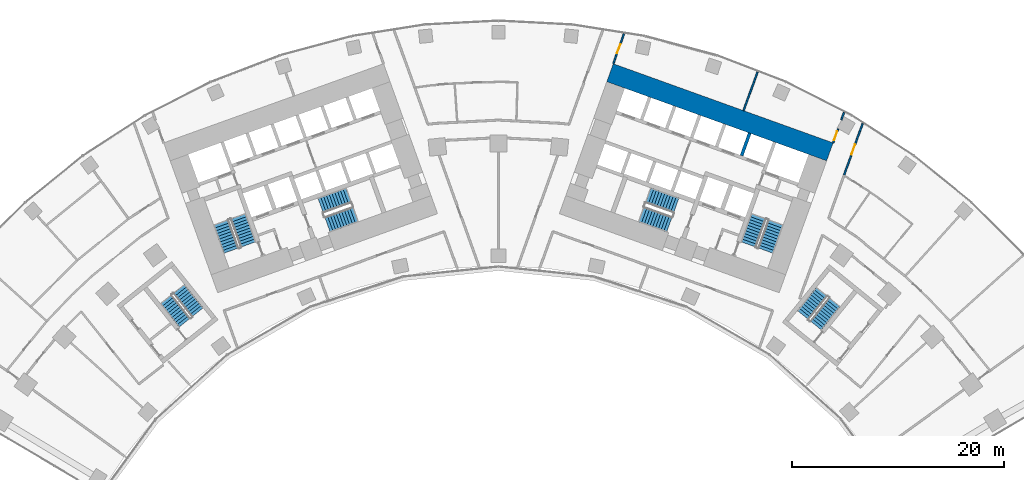
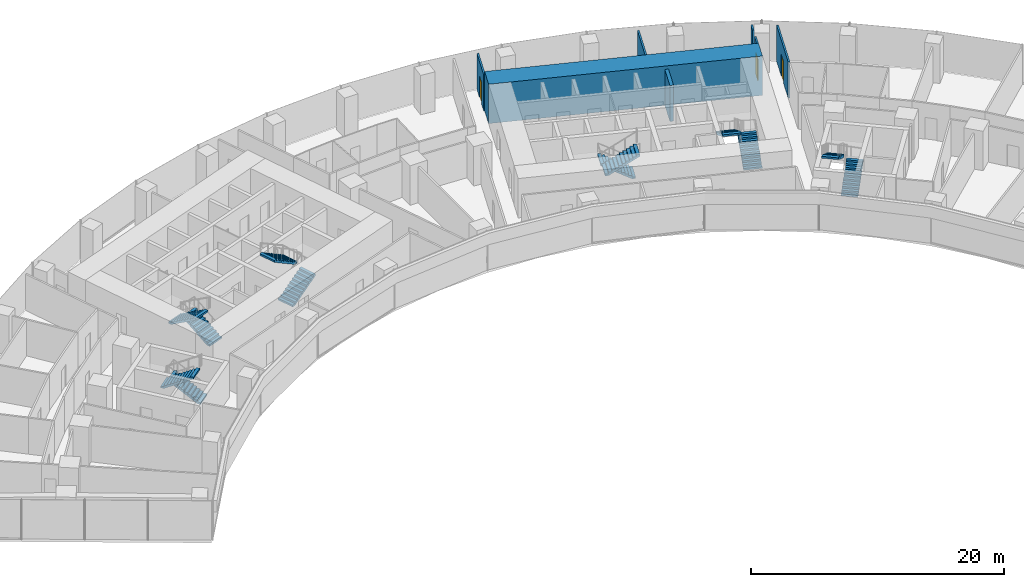
# One storey, part 19 of 21: 12 stair flights, 7 walls, 3 doors, 3 openings, 6 elements without a shape of their own.
"""IFC4 building model written with IfcOpenShell, lengths in metres."""

import ifcopenshell
import ifcopenshell.guid

model = None  # the IFC model being written
_history = None  # IfcOwnerHistory: only IFC2X3 demands one
_inside = {}  # id of a spatial element -> (the spatial element, [elements in it])
_under = {}  # id of a project, library or spatial element -> (it, [spatial elements below it])
_declared = {}  # id of a project -> (the project, [libraries it declares])
_typed = {}  # id of a type object -> (the type object, [elements of that type])
_made_of = {}  # id of a material, layer set ... -> (it, [elements and type objects made of it])


def new_model(schema):
    """Start an empty IFC model of exactly this schema.

    Asked for "IFC4X3", IfcOpenShell would pick the latest addendum, in which some entities
    have other attributes; the version numbers below select the first issue.
    IFC2X3 requires an IfcOwnerHistory on every rooted entity: one is made here for all.
    """
    global model, _history
    if schema == "IFC4X3":
        model = ifcopenshell.file(schema_version=(4, 3, 0, 0))
    else:
        model = ifcopenshell.file(schema=schema)
    _inside.clear()
    _under.clear()
    _declared.clear()
    _typed.clear()
    _made_of.clear()
    _history = None
    if model.schema == "IFC2X3":
        org = make("IfcOrganization", Name="unknown")
        user = make(
            "IfcPersonAndOrganization",
            ThePerson=make("IfcPerson", FamilyName="unknown"),
            TheOrganization=org,
        )
        app = make(
            "IfcApplication",
            ApplicationDeveloper=org,
            Version="unknown",
            ApplicationFullName="unknown",
            ApplicationIdentifier="unknown",
        )
        _history = make(
            "IfcOwnerHistory",
            OwningUser=user,
            OwningApplication=app,
            ChangeAction="ADDED",
            CreationDate=0,
        )
    return model


def make(cls, **values):
    """One entity of the class cls with the attributes given. An attribute that is None is left unset."""
    return model.create_entity(
        cls, **{name: value for name, value in values.items() if value is not None}
    )


def rooted(cls, **values):
    """An entity with a GlobalId (a new one), such as an element, a storey or a relation."""
    return make(cls, GlobalId=ifcopenshell.guid.new(), OwnerHistory=_history, **values)


def si_unit(unit_type, name, prefix=None):
    """IfcSIUnit, for example si_unit("LENGTHUNIT", "METRE", prefix="MILLI")."""
    return make("IfcSIUnit", UnitType=unit_type, Prefix=prefix, Name=name)


def assignment(units):
    """IfcUnitAssignment: the units of a project."""
    return None if units is None else make("IfcUnitAssignment", Units=units)


def point(xyz):
    """IfcCartesianPoint."""
    return None if xyz is None else make("IfcCartesianPoint", Coordinates=xyz)


def direction(xyz):
    """IfcDirection."""
    return None if xyz is None else make("IfcDirection", DirectionRatios=xyz)


def frame(location, z_axis=None, x_axis=None):
    """IfcAxis2Placement3D, a coordinate frame: its origin and axes. An axis left out is left unset."""
    return make(
        "IfcAxis2Placement3D",
        Location=point(location),
        Axis=direction(z_axis),
        RefDirection=direction(x_axis),
    )


def frame_2d(location, x_axis=None):
    """IfcAxis2Placement2D, a coordinate frame in the plane: its origin and x axis."""
    return make(
        "IfcAxis2Placement2D", Location=point(location), RefDirection=direction(x_axis)
    )


def origin():
    """The frame at (0, 0, 0) with its axes left unset."""
    return frame((0.0, 0.0, 0.0))


def place(relative_to, where):
    """IfcLocalPlacement: puts the frame where relative to a parent placement (None: the world)."""
    return make(
        "IfcLocalPlacement", PlacementRelTo=relative_to, RelativePlacement=where
    )


def context(
    kind, dimensions, precision=None, world=None, true_north=None, identifier=None
):
    """IfcGeometricRepresentationContext, for example the 3D "Model" context."""
    return make(
        "IfcGeometricRepresentationContext",
        ContextIdentifier=identifier,
        ContextType=kind,
        CoordinateSpaceDimension=dimensions,
        Precision=precision,
        WorldCoordinateSystem=world,
        TrueNorth=true_north,
    )


def subcontext(parent, identifier, kind, view, scale=None):
    """IfcGeometricRepresentationSubContext, for example "Body" below "Model"."""
    return make(
        "IfcGeometricRepresentationSubContext",
        ContextIdentifier=identifier,
        ContextType=kind,
        ParentContext=parent,
        TargetScale=scale,
        TargetView=view,
    )


def project(units=None, contexts=None):
    """IfcProject with its units and contexts."""
    return rooted(
        "IfcProject",
        Name="project",
        RepresentationContexts=contexts,
        UnitsInContext=assignment(units),
    )


def spatial(cls, under=None, at=None, **own):
    """A site, building, storey or space (cls), placed at a placement, below another one or the project."""
    s = rooted(cls, ObjectPlacement=at, **own)
    if under is not None:
        _under.setdefault(under.id(), (under, []))[1].append(s)
    return s


def polyline(points):
    """IfcPolyline through the points."""
    return make("IfcPolyline", Points=[point(p) for p in points])


def profile(cls, at=None, kind="AREA", **sizes):
    """A parametric profile (cls). Its sizes go by their IFC names, for example OverallWidth=200.0."""
    return make(cls, ProfileType=kind, Position=at, **sizes)


def rectangle(**sizes):
    """IfcRectangleProfileDef."""
    return profile("IfcRectangleProfileDef", **sizes)


def outline(outer, holes=None, kind="AREA"):
    """IfcArbitraryClosedProfileDef: a profile drawn as a closed curve; with holes, ...WithVoids."""
    if holes is None:
        return make("IfcArbitraryClosedProfileDef", ProfileType=kind, OuterCurve=outer)
    return make(
        "IfcArbitraryProfileDefWithVoids",
        ProfileType=kind,
        OuterCurve=outer,
        InnerCurves=holes,
    )


def extrude(swept, where, along, depth):
    """IfcExtrudedAreaSolid: the profile swept, set in the frame where, extruded along a direction by depth."""
    return make(
        "IfcExtrudedAreaSolid",
        SweptArea=swept,
        Position=where,
        ExtrudedDirection=direction(along),
        Depth=depth,
    )


def shape(context_of_items, identifier, shape_type, items):
    """IfcShapeRepresentation: the items that make up one representation, for example the "Body"."""
    return make(
        "IfcShapeRepresentation",
        ContextOfItems=context_of_items,
        RepresentationIdentifier=identifier,
        RepresentationType=shape_type,
        Items=items,
    )


def material(Name=None, Category=None):
    """IfcMaterial."""
    return make("IfcMaterial", Name=Name, Category=Category)


def layer(
    of_material, thickness, ventilated=None, Name=None, Category=None, Priority=None
):
    """IfcMaterialLayer: one layer of a wall or slab, of a material (None: an air gap)."""
    return make(
        "IfcMaterialLayer",
        Material=of_material,
        LayerThickness=thickness,
        IsVentilated=ventilated,
        Name=Name,
        Category=Category,
        Priority=Priority,
    )


def layer_set(layers, Name=None):
    """IfcMaterialLayerSet."""
    return make("IfcMaterialLayerSet", MaterialLayers=layers, LayerSetName=Name)


def made_of(thing, what):
    """Note that an element or type object is made of a material, layer set ...; save() writes the relation."""
    if what is not None:
        _made_of.setdefault(what.id(), (what, []))[1].append(thing)
    return thing


def type_object(cls, material=None, **own):
    """A type object (cls), such as IfcWallType, which elements share."""
    return made_of(rooted(cls, **own), material)


def element(
    cls,
    number,
    at=None,
    inside=None,
    cuts=None,
    type_object=None,
    material=None,
    context=None,
    identifier="Body",
    shape_type=None,
    held_by="IfcProductDefinitionShape",
    body=None,
    shapes=None,
    **own,
):
    """One element of the class cls, such as IfcWall. Its Tag is "e" and its number.

    at: its placement. inside: the storey or other place that contains it. cuts: it is an
    opening in that element (IfcRelVoidsElement). A single representation is given by context,
    identifier, shape_type and body (its items); several are given by shapes. held_by: the class
    of the entity that holds the representations. save() writes the other relations.
    """
    e = rooted(cls, Tag="e%d" % number, ObjectPlacement=at, **own)
    if body is not None:
        shapes = [shape(context, identifier, shape_type, body)]
    if shapes is not None:
        e.Representation = make(held_by, Representations=shapes)
    if inside is not None:
        _inside.setdefault(inside.id(), (inside, []))[1].append(e)
    if cuts is not None:
        rooted(
            "IfcRelVoidsElement", RelatingBuildingElement=cuts, RelatedOpeningElement=e
        )
    if type_object is not None:
        _typed.setdefault(type_object.id(), (type_object, []))[1].append(e)
    return made_of(e, material)


def fill(opening, filler):
    """IfcRelFillsElement: the door or window that sits in an opening."""
    return rooted(
        "IfcRelFillsElement",
        RelatingOpeningElement=opening,
        RelatedBuildingElement=filler,
    )


def aggregate(whole, parts):
    """IfcRelAggregates: a whole, such as a stair, and the parts it consists of."""
    return rooted("IfcRelAggregates", RelatingObject=whole, RelatedObjects=parts)


def save(model, path):
    """Write the relations noted so far, then the file.

    IfcRelAggregates (storeys below a building ...), IfcRelContainedInSpatialStructure (elements
    in a storey), IfcRelDefinesByType, IfcRelAssociatesMaterial and IfcRelDeclares: one each for
    every whole, place, type object, material and project.
    """
    for whole, parts in _under.values():
        aggregate(whole, parts)
    for where, things in _inside.values():
        rooted(
            "IfcRelContainedInSpatialStructure",
            RelatedElements=things,
            RelatingStructure=where,
        )
    for kind, things in _typed.values():
        rooted("IfcRelDefinesByType", RelatedObjects=things, RelatingType=kind)
    for what, things in _made_of.values():
        rooted("IfcRelAssociatesMaterial", RelatedObjects=things, RelatingMaterial=what)
    for by, libraries in _declared.values():
        rooted("IfcRelDeclares", RelatingContext=by, RelatedDefinitions=libraries)
    model.write(path)


model = new_model("IFC4")

# Units and contexts
model_context = context("Model", 3, precision=1e-05, world=origin(), true_north=direction((0.0, 1.0)))
body_context = subcontext(model_context, "Body", "Model", "MODEL_VIEW")
ifc_project = project(units=[si_unit("LENGTHUNIT", "METRE"), si_unit("AREAUNIT", "SQUARE_METRE"), si_unit("VOLUMEUNIT", "CUBIC_METRE"), si_unit("PLANEANGLEUNIT", "RADIAN"), si_unit("MASSUNIT", "GRAM", prefix="KILO")], contexts=[model_context])

# Site, building, storey
site_placement = place(None, origin())
site = spatial("IfcSite", under=ifc_project, at=site_placement, CompositionType="ELEMENT")
building_placement = place(site_placement, origin())
building = spatial("IfcBuilding", under=site, at=building_placement, Name="Stone Belt Terrace Tower", CompositionType="ELEMENT")
storey_placement = place(building_placement, frame((0.0, 0.0, 33.800048828125)))
storey = spatial("IfcBuildingStorey", under=building, at=storey_placement, Name="L07", CompositionType="ELEMENT", Elevation=33.800048828125)

# Walls
ifc_material_1 = material(Name="Concrete B80", Category="concrete")
ifc_layer_1 = layer(ifc_material_1, 1.800048828125)
ifc_layer_set_1 = layer_set([ifc_layer_1], Name="Core wall 1800 B80")
wall_type_1 = type_object("IfcWallType", Name="Core wall 1800 B80", PredefinedType="SHEAR", material=ifc_layer_set_1)
wall_1_placement = place(storey_placement, frame((10.509033203125, 61.685546875, 0.0), z_axis=(0.0, 0.0, 1.0), x_axis=(0.940922914687, -0.338620833112, 0.0)))
element("IfcWall", 1, at=wall_1_placement, inside=storey, type_object=wall_type_1, Name="Core B wall convex L07", PredefinedType="SHEAR", context=body_context, shape_type="SweptSolid", body=[
    extrude(rectangle(XDim=22.000244140625, YDim=1.800048828125, at=frame_2d((11.0, 0.0))), origin(), (0.0, 0.0, 1.0), 3.800048828125),
])
ifc_layer_2 = layer(ifc_material_1, 0.300048828125)
ifc_layer_set_2 = layer_set([ifc_layer_2], Name="Lift shaft wall 300")
wall_type_2 = type_object("IfcWallType", Name="Lift shaft wall 300", PredefinedType="SHEAR", material=ifc_layer_set_2)
wall_2_placement = place(storey_placement, frame((22.897705078125, 53.87939453125, 0.0), z_axis=(0.0, 0.0, 1.0), x_axis=(0.338535034312, 0.940953787677, 0.0)))
element("IfcWall", 2, at=wall_2_placement, inside=storey, type_object=wall_type_2, Name="Core B wall", PredefinedType="SHEAR", context=body_context, shape_type="SweptSolid", body=[
    extrude(rectangle(XDim=2.25, YDim=0.300048828125, at=frame_2d((1.125, 0.0))), origin(), (0.0, 0.0, 1.0), 3.47998046875),
])

# Wall, opening, door
ifc_material_2 = material(Name="Gypsum board partition")
ifc_layer_3 = layer(ifc_material_2, 0.14990234375)
ifc_layer_set_3 = layer_set([ifc_layer_3], Name="PARTITION 150 EI 60")
wall_type_3 = type_object("IfcWallType", Name="PARTITION 150 EI 60", PredefinedType="PARTITIONING", material=ifc_layer_set_3)
wall_3_placement = place(storey_placement, frame((11.831787109375, 65.361083984375, 0.0), z_axis=(0.0, 0.0, 1.0), x_axis=(-0.338526810165, -0.940956746508, 0.0)))
wall_3 = element("IfcWall", 3, at=wall_3_placement, inside=storey, type_object=wall_type_3, Name="L07/wall/i017", PredefinedType="PARTITIONING", context=body_context, shape_type="SweptSolid", body=[
    extrude(rectangle(XDim=3.006591796875, YDim=0.14990234375, at=frame_2d((1.50341796875, 0.0))), origin(), (0.0, 0.0, 1.0), 3.47998046875),
])
opening_1_placement = place(wall_3_placement, frame((1.05322265625, 0.0, 0.0)))
opening_1 = element("IfcOpeningElement", 4, at=opening_1_placement, cuts=wall_3, Name="Opening D-A1b-07", PredefinedType="OPENING", context=body_context, shape_type="SweptSolid", body=[
    extrude(rectangle(XDim=0.89990234375, YDim=2.10009765625, at=frame_2d((0.449951171875, 1.050048828125))), frame((0.0, 0.0849609375, 0.0), z_axis=(0.0, -1.0, 0.0), x_axis=(1.0, 0.0, 0.0)), (0.0, 0.0, 1.0), 0.169921875),
])
ifc_material_3 = material(Name="Timber door leaf", Category="wood")
door_type_1 = type_object("IfcDoorType", Name="OFFICE DOOR 900 X 2100", OperationType="NOTDEFINED", PredefinedType="DOOR", material=ifc_material_3)
door_1_placement = place(opening_1_placement, origin())
door_1 = element("IfcDoor", 5, at=door_1_placement, inside=storey, type_object=door_type_1, Name="L07/door/i07", OperationType="SINGLE_SWING_RIGHT", OverallHeight=2.10009765625, OverallWidth=0.89990234375, PredefinedType="DOOR", context=body_context, shape_type="SweptSolid", body=[
    extrude(rectangle(XDim=0.89990234375, YDim=2.10009765625, at=frame_2d((0.449951171875, 1.050048828125))), frame((0.0, 0.02490234375, 0.0), z_axis=(0.0, -1.0, 0.0), x_axis=(1.0, 0.0, 0.0)), (0.0, 0.0, 1.0), 0.050048828125),
])
fill(opening_1, door_1)

wall_4_placement = place(storey_placement, frame((31.513916015625, 55.0830078125, 0.0), z_axis=(0.0, 0.0, 1.0), x_axis=(0.338861945182, 0.940836107995, 0.0)))
wall_4 = element("IfcWall", 6, at=wall_4_placement, inside=storey, type_object=wall_type_3, Name="L07/wall/i021", PredefinedType="PARTITIONING", context=body_context, shape_type="SweptSolid", body=[
    extrude(rectangle(XDim=1.3955078125, YDim=0.14990234375, at=frame_2d((0.69775390625, 0.0))), origin(), (0.0, 0.0, 1.0), 3.47998046875),
])
opening_2_placement = place(wall_4_placement, frame((0.247802734375, 0.0, 0.0)))
opening_2 = element("IfcOpeningElement", 7, at=opening_2_placement, cuts=wall_4, Name="Opening D-A1b-08", PredefinedType="OPENING", context=body_context, shape_type="SweptSolid", body=[
    extrude(rectangle(XDim=0.89990234375, YDim=2.10009765625, at=frame_2d((0.449951171875, 1.050048828125))), frame((0.0, 0.0849609375, 0.0), z_axis=(0.0, -1.0, 0.0), x_axis=(1.0, 0.0, 0.0)), (0.0, 0.0, 1.0), 0.169921875),
])
door_2_placement = place(opening_2_placement, origin())
door_2 = element("IfcDoor", 8, at=door_2_placement, inside=storey, type_object=door_type_1, Name="L07/door/i08", OperationType="SINGLE_SWING_RIGHT", OverallHeight=2.10009765625, OverallWidth=0.89990234375, PredefinedType="DOOR", context=body_context, shape_type="SweptSolid", body=[
    extrude(rectangle(XDim=0.89990234375, YDim=2.10009765625, at=frame_2d((0.449951171875, 1.050048828125))), frame((0.0, 0.02490234375, 0.0), z_axis=(0.0, -1.0, 0.0), x_axis=(1.0, 0.0, 0.0)), (0.0, 0.0, 1.0), 0.050048828125),
])
fill(opening_2, door_2)

# Wall
wall_5_placement = place(storey_placement, frame((32.290283203125, 57.238525390625, 0.0), z_axis=(0.0, 0.0, 1.0), x_axis=(0.338960201827, 0.940800712998, 0.0)))
element("IfcWall", 9, at=wall_5_placement, inside=storey, type_object=wall_type_3, Name="L07/wall/i022", PredefinedType="PARTITIONING", context=body_context, shape_type="SweptSolid", body=[
    extrude(rectangle(XDim=0.754150390625, YDim=0.14990234375, at=frame_2d((0.376953125, 0.0))), origin(), (0.0, 0.0, 1.0), 3.47998046875),
])

# Wall, opening, door
wall_6_placement = place(storey_placement, frame((34.298095703125, 56.91015625, 0.0), z_axis=(0.0, 0.0, 1.0), x_axis=(-0.338724445236, -0.940885620147, 0.0)))
wall_6 = element("IfcWall", 10, at=wall_6_placement, inside=storey, type_object=wall_type_3, Name="L07/wall/i025", PredefinedType="PARTITIONING", context=body_context, shape_type="SweptSolid", body=[
    extrude(rectangle(XDim=5.211181640625, YDim=0.14990234375, at=frame_2d((2.60546875, 0.0))), origin(), (0.0, 0.0, 1.0), 3.47998046875),
])
opening_3_placement = place(wall_6_placement, frame((2.10546875, 0.0, 0.0)))
opening_3 = element("IfcOpeningElement", 11, at=opening_3_placement, cuts=wall_6, Name="Opening D-A1b-21", PredefinedType="OPENING", context=body_context, shape_type="SweptSolid", body=[
    extrude(rectangle(XDim=1.0, YDim=2.10009765625, at=frame_2d((0.5, 1.050048828125))), frame((0.0, 0.0849609375, 0.0), z_axis=(0.0, -1.0, 0.0), x_axis=(1.0, 0.0, 0.0)), (0.0, 0.0, 1.0), 0.169921875),
])
ifc_material_4 = material(Name="Timber fire door leaf", Category="wood")
door_type_2 = type_object("IfcDoorType", Name="TENANCY ENTRANCE DOOR 1000 X 2100", OperationType="NOTDEFINED", PredefinedType="DOOR", material=ifc_material_4)
door_3_placement = place(opening_3_placement, origin())
door_3 = element("IfcDoor", 12, at=door_3_placement, inside=storey, type_object=door_type_2, Name="L07/door/i21", OperationType="SINGLE_SWING_RIGHT", OverallHeight=2.10009765625, OverallWidth=1.0, PredefinedType="DOOR", context=body_context, shape_type="SweptSolid", body=[
    extrude(rectangle(XDim=1.0, YDim=2.10009765625, at=frame_2d((0.5, 1.050048828125))), frame((0.0, 0.02490234375, 0.0), z_axis=(0.0, -1.0, 0.0), x_axis=(1.0, 0.0, 0.0)), (0.0, 0.0, 1.0), 0.050048828125),
])
fill(opening_3, door_3)

# Wall
wall_7_placement = place(storey_placement, frame((24.39990234375, 61.76708984375, 0.0), z_axis=(0.0, 0.0, 1.0), x_axis=(-0.338619209116, -0.940923499131, 0.0)))
element("IfcWall", 13, at=wall_7_placement, inside=storey, type_object=wall_type_3, Name="L07/wall/i030", PredefinedType="PARTITIONING", context=body_context, shape_type="SweptSolid", body=[
    extrude(rectangle(XDim=3.88037109375, YDim=0.14990234375, at=frame_2d((1.940185546875, 0.0))), origin(), (0.0, 0.0, 1.0), 3.47998046875),
])

# Stair, stair flights
ifc_material_5 = material(Name="Concrete B40", Category="concrete")
stair_type = type_object("IfcStairType", Name="Exit stair 1500", PredefinedType="HALF_TURN_STAIR", material=ifc_material_5)
stair_1_placement = place(storey_placement, origin())
stair_1 = element("IfcStair", 14, at=stair_1_placement, inside=storey, type_object=stair_type, Name="L07 Exit stair 1 core A", PredefinedType="HALF_TURN_STAIR")
stair_flight_type = type_object("IfcStairFlightType", Name="Stair flight 1500", PredefinedType="STRAIGHT", material=ifc_material_5)
stair_flight_1_placement = place(storey_placement, frame((-23.55322265625, 45.51318359375, 0.0), z_axis=(0.0, 0.0, 1.0), x_axis=(-0.338624396177, 0.940921632398, 0.0)))
stair_flight_1 = element("IfcStairFlight", 15, at=stair_flight_1_placement, type_object=stair_flight_type, Name="ST1A flight 1", NumberOfRisers=11, NumberOfTreads=10, PredefinedType="STRAIGHT", RiserHeight=0.172727273, TreadLength=0.28, context=body_context, shape_type="SweptSolid", body=[
    extrude(outline(polyline([(0.0, 0.0), (0.0, 0.172607421875), (0.280029296875, 0.172607421875), (0.280029296875, 0.345458984375), (0.56005859375, 0.345458984375), (0.56005859375, 0.51806640625), (0.840087890625, 0.51806640625), (0.840087890625, 0.69091796875), (1.1201171875, 0.69091796875), (1.1201171875, 0.863525390625), (1.39990234375, 0.863525390625), (1.39990234375, 1.036376953125), (1.679931640625, 1.036376953125), (1.679931640625, 1.208984375), (1.9599609375, 1.208984375), (1.9599609375, 1.3818359375), (2.239990234375, 1.3818359375), (2.239990234375, 1.554443359375), (2.52001953125, 1.554443359375), (2.52001953125, 1.727294921875), (2.800048828125, 1.727294921875), (2.800048828125, 1.89990234375), (2.800048828125, 1.551025390625), (0.285400390625, 0.0), (0.0, 0.0)])), frame((0.0, 0.75, 0.0), z_axis=(0.0, -1.0, 0.0), x_axis=(1.0, 0.0, 0.0)), (0.0, 0.0, 1.0), 1.5),
])
stair_flight_2_placement = place(storey_placement, frame((-26.10107421875, 47.572021484375, 1.89990234375), z_axis=(0.0, 0.0, 1.0), x_axis=(0.338624396177, -0.940921632398, 0.0)))
stair_flight_2 = element("IfcStairFlight", 16, at=stair_flight_2_placement, type_object=stair_flight_type, Name="ST1A flight 2", NumberOfRisers=11, NumberOfTreads=10, PredefinedType="STRAIGHT", RiserHeight=0.172727273, TreadLength=0.28, context=body_context, shape_type="SweptSolid", body=[
    extrude(outline(polyline([(0.0, 0.0), (0.0, 0.172607421875), (0.280029296875, 0.172607421875), (0.280029296875, 0.345458984375), (0.56005859375, 0.345458984375), (0.56005859375, 0.51806640625), (0.840087890625, 0.51806640625), (0.840087890625, 0.69091796875), (1.1201171875, 0.69091796875), (1.1201171875, 0.863525390625), (1.39990234375, 0.863525390625), (1.39990234375, 1.036376953125), (1.679931640625, 1.036376953125), (1.679931640625, 1.208984375), (1.9599609375, 1.208984375), (1.9599609375, 1.3818359375), (2.239990234375, 1.3818359375), (2.239990234375, 1.554443359375), (2.52001953125, 1.554443359375), (2.52001953125, 1.727294921875), (2.800048828125, 1.727294921875), (2.800048828125, 1.89990234375), (2.800048828125, 1.551025390625), (0.285400390625, 0.0), (0.0, 0.0)])), frame((0.0, 0.75, 0.0), z_axis=(0.0, -1.0, 0.0), x_axis=(1.0, 0.0, 0.0)), (0.0, 0.0, 1.0), 1.5),
])
aggregate(stair_1, [stair_flight_1, stair_flight_2])

stair_2_placement = place(storey_placement, origin())
stair_2 = element("IfcStair", 17, at=stair_2_placement, inside=storey, type_object=stair_type, Name="L07 Exit stair 2 core A", PredefinedType="HALF_TURN_STAIR")
stair_flight_3_placement = place(storey_placement, frame((-16.101318359375, 47.39794921875, 0.0), z_axis=(0.0, 0.0, 1.0), x_axis=(0.940921632398, 0.338624396177, 0.0)))
stair_flight_3 = element("IfcStairFlight", 18, at=stair_flight_3_placement, type_object=stair_flight_type, Name="ST2A flight 1", NumberOfRisers=11, NumberOfTreads=10, PredefinedType="STRAIGHT", RiserHeight=0.172727273, TreadLength=0.28, context=body_context, shape_type="SweptSolid", body=[
    extrude(outline(polyline([(0.0, 0.0), (0.0, 0.172607421875), (0.280029296875, 0.172607421875), (0.280029296875, 0.345458984375), (0.56005859375, 0.345458984375), (0.56005859375, 0.51806640625), (0.840087890625, 0.51806640625), (0.840087890625, 0.69091796875), (1.1201171875, 0.69091796875), (1.1201171875, 0.863525390625), (1.39990234375, 0.863525390625), (1.39990234375, 1.036376953125), (1.679931640625, 1.036376953125), (1.679931640625, 1.208984375), (1.9599609375, 1.208984375), (1.9599609375, 1.3818359375), (2.239990234375, 1.3818359375), (2.239990234375, 1.554443359375), (2.52001953125, 1.554443359375), (2.52001953125, 1.727294921875), (2.800048828125, 1.727294921875), (2.800048828125, 1.89990234375), (2.800048828125, 1.551025390625), (0.285400390625, 0.0), (0.0, 0.0)])), frame((0.0, 0.75, 0.0), z_axis=(0.0, -1.0, 0.0), x_axis=(1.0, 0.0, 0.0)), (0.0, 0.0, 1.0), 1.5),
])
stair_flight_4_placement = place(storey_placement, frame((-14.110107421875, 50.1337890625, 1.89990234375), z_axis=(0.0, 0.0, 1.0), x_axis=(-0.940921632398, -0.338624396177, 0.0)))
stair_flight_4 = element("IfcStairFlight", 19, at=stair_flight_4_placement, type_object=stair_flight_type, Name="ST2A flight 2", NumberOfRisers=11, NumberOfTreads=10, PredefinedType="STRAIGHT", RiserHeight=0.172727273, TreadLength=0.28, context=body_context, shape_type="SweptSolid", body=[
    extrude(outline(polyline([(0.0, 0.0), (0.0, 0.172607421875), (0.280029296875, 0.172607421875), (0.280029296875, 0.345458984375), (0.56005859375, 0.345458984375), (0.56005859375, 0.51806640625), (0.840087890625, 0.51806640625), (0.840087890625, 0.69091796875), (1.1201171875, 0.69091796875), (1.1201171875, 0.863525390625), (1.39990234375, 0.863525390625), (1.39990234375, 1.036376953125), (1.679931640625, 1.036376953125), (1.679931640625, 1.208984375), (1.9599609375, 1.208984375), (1.9599609375, 1.3818359375), (2.239990234375, 1.3818359375), (2.239990234375, 1.554443359375), (2.52001953125, 1.554443359375), (2.52001953125, 1.727294921875), (2.800048828125, 1.727294921875), (2.800048828125, 1.89990234375), (2.800048828125, 1.551025390625), (0.285400390625, 0.0), (0.0, 0.0)])), frame((0.0, 0.75, 0.0), z_axis=(0.0, -1.0, 0.0), x_axis=(1.0, 0.0, 0.0)), (0.0, 0.0, 1.0), 1.5),
])
aggregate(stair_2, [stair_flight_3, stair_flight_4])

stair_3_placement = place(storey_placement, origin())
stair_3 = element("IfcStair", 20, at=stair_3_placement, inside=storey, type_object=stair_type, Name="L07 Exit stair 1 core B", PredefinedType="HALF_TURN_STAIR")
stair_flight_5_placement = place(storey_placement, frame((25.15283203125, 44.9375, 0.0), z_axis=(0.0, 0.0, 1.0), x_axis=(0.338624396177, 0.940921632398, 0.0)))
stair_flight_5 = element("IfcStairFlight", 21, at=stair_flight_5_placement, type_object=stair_flight_type, Name="ST1B flight 1", NumberOfRisers=11, NumberOfTreads=10, PredefinedType="STRAIGHT", RiserHeight=0.172727273, TreadLength=0.28, context=body_context, shape_type="SweptSolid", body=[
    extrude(outline(polyline([(0.0, 0.0), (0.0, 0.172607421875), (0.280029296875, 0.172607421875), (0.280029296875, 0.345458984375), (0.56005859375, 0.345458984375), (0.56005859375, 0.51806640625), (0.840087890625, 0.51806640625), (0.840087890625, 0.69091796875), (1.1201171875, 0.69091796875), (1.1201171875, 0.863525390625), (1.39990234375, 0.863525390625), (1.39990234375, 1.036376953125), (1.679931640625, 1.036376953125), (1.679931640625, 1.208984375), (1.9599609375, 1.208984375), (1.9599609375, 1.3818359375), (2.239990234375, 1.3818359375), (2.239990234375, 1.554443359375), (2.52001953125, 1.554443359375), (2.52001953125, 1.727294921875), (2.800048828125, 1.727294921875), (2.800048828125, 1.89990234375), (2.800048828125, 1.551025390625), (0.285400390625, 0.0), (0.0, 0.0)])), frame((0.0, 0.75, 0.0), z_axis=(0.0, -1.0, 0.0), x_axis=(1.0, 0.0, 0.0)), (0.0, 0.0, 1.0), 1.5),
])
stair_flight_6_placement = place(storey_placement, frame((24.50146484375, 48.147705078125, 1.89990234375), z_axis=(0.0, 0.0, 1.0), x_axis=(-0.338624396177, -0.940921632398, 0.0)))
stair_flight_6 = element("IfcStairFlight", 22, at=stair_flight_6_placement, type_object=stair_flight_type, Name="ST1B flight 2", NumberOfRisers=11, NumberOfTreads=10, PredefinedType="STRAIGHT", RiserHeight=0.172727273, TreadLength=0.28, context=body_context, shape_type="SweptSolid", body=[
    extrude(outline(polyline([(0.0, 0.0), (0.0, 0.172607421875), (0.280029296875, 0.172607421875), (0.280029296875, 0.345458984375), (0.56005859375, 0.345458984375), (0.56005859375, 0.51806640625), (0.840087890625, 0.51806640625), (0.840087890625, 0.69091796875), (1.1201171875, 0.69091796875), (1.1201171875, 0.863525390625), (1.39990234375, 0.863525390625), (1.39990234375, 1.036376953125), (1.679931640625, 1.036376953125), (1.679931640625, 1.208984375), (1.9599609375, 1.208984375), (1.9599609375, 1.3818359375), (2.239990234375, 1.3818359375), (2.239990234375, 1.554443359375), (2.52001953125, 1.554443359375), (2.52001953125, 1.727294921875), (2.800048828125, 1.727294921875), (2.800048828125, 1.89990234375), (2.800048828125, 1.551025390625), (0.285400390625, 0.0), (0.0, 0.0)])), frame((0.0, 0.75, 0.0), z_axis=(0.0, -1.0, 0.0), x_axis=(1.0, 0.0, 0.0)), (0.0, 0.0, 1.0), 1.5),
])
aggregate(stair_3, [stair_flight_5, stair_flight_6])

stair_4_placement = place(storey_placement, origin())
stair_4 = element("IfcStair", 23, at=stair_4_placement, inside=storey, type_object=stair_type, Name="L07 Exit stair 2 core B", PredefinedType="HALF_TURN_STAIR")
stair_flight_7_placement = place(storey_placement, frame((16.74462890625, 49.185546875, 0.0), z_axis=(0.0, 0.0, 1.0), x_axis=(-0.940921632398, 0.338624396177, 0.0)))
stair_flight_7 = element("IfcStairFlight", 24, at=stair_flight_7_placement, type_object=stair_flight_type, Name="ST2B flight 1", NumberOfRisers=11, NumberOfTreads=10, PredefinedType="STRAIGHT", RiserHeight=0.172727273, TreadLength=0.28, context=body_context, shape_type="SweptSolid", body=[
    extrude(outline(polyline([(0.0, 0.0), (0.0, 0.172607421875), (0.280029296875, 0.172607421875), (0.280029296875, 0.345458984375), (0.56005859375, 0.345458984375), (0.56005859375, 0.51806640625), (0.840087890625, 0.51806640625), (0.840087890625, 0.69091796875), (1.1201171875, 0.69091796875), (1.1201171875, 0.863525390625), (1.39990234375, 0.863525390625), (1.39990234375, 1.036376953125), (1.679931640625, 1.036376953125), (1.679931640625, 1.208984375), (1.9599609375, 1.208984375), (1.9599609375, 1.3818359375), (2.239990234375, 1.3818359375), (2.239990234375, 1.554443359375), (2.52001953125, 1.554443359375), (2.52001953125, 1.727294921875), (2.800048828125, 1.727294921875), (2.800048828125, 1.89990234375), (2.800048828125, 1.551025390625), (0.285400390625, 0.0), (0.0, 0.0)])), frame((0.0, 0.75, 0.0), z_axis=(0.0, -1.0, 0.0), x_axis=(1.0, 0.0, 0.0)), (0.0, 0.0, 1.0), 1.5),
])
stair_flight_8_placement = place(storey_placement, frame((13.466796875, 48.345947265625, 1.89990234375), z_axis=(0.0, 0.0, 1.0), x_axis=(0.940921632398, -0.338624396177, 0.0)))
stair_flight_8 = element("IfcStairFlight", 25, at=stair_flight_8_placement, type_object=stair_flight_type, Name="ST2B flight 2", NumberOfRisers=11, NumberOfTreads=10, PredefinedType="STRAIGHT", RiserHeight=0.172727273, TreadLength=0.28, context=body_context, shape_type="SweptSolid", body=[
    extrude(outline(polyline([(0.0, 0.0), (0.0, 0.172607421875), (0.280029296875, 0.172607421875), (0.280029296875, 0.345458984375), (0.56005859375, 0.345458984375), (0.56005859375, 0.51806640625), (0.840087890625, 0.51806640625), (0.840087890625, 0.69091796875), (1.1201171875, 0.69091796875), (1.1201171875, 0.863525390625), (1.39990234375, 0.863525390625), (1.39990234375, 1.036376953125), (1.679931640625, 1.036376953125), (1.679931640625, 1.208984375), (1.9599609375, 1.208984375), (1.9599609375, 1.3818359375), (2.239990234375, 1.3818359375), (2.239990234375, 1.554443359375), (2.52001953125, 1.554443359375), (2.52001953125, 1.727294921875), (2.800048828125, 1.727294921875), (2.800048828125, 1.89990234375), (2.800048828125, 1.551025390625), (0.285400390625, 0.0), (0.0, 0.0)])), frame((0.0, 0.75, 0.0), z_axis=(0.0, -1.0, 0.0), x_axis=(1.0, 0.0, 0.0)), (0.0, 0.0, 1.0), 1.5),
])
aggregate(stair_4, [stair_flight_7, stair_flight_8])

stair_5_placement = place(storey_placement, origin())
stair_5 = element("IfcStair", 26, at=stair_5_placement, inside=storey, type_object=stair_type, Name="L07 Exit stair 3A", PredefinedType="HALF_TURN_STAIR")
stair_flight_9_placement = place(storey_placement, frame((-28.325439453125, 39.1240234375, 0.0), z_axis=(0.0, 0.0, 1.0), x_axis=(-0.623121363691, 0.782125160132, 0.0)))
stair_flight_9 = element("IfcStairFlight", 27, at=stair_flight_9_placement, type_object=stair_flight_type, Name="ST3A flight 1", NumberOfRisers=11, NumberOfTreads=10, PredefinedType="STRAIGHT", RiserHeight=0.172727273, TreadLength=0.28, context=body_context, shape_type="SweptSolid", body=[
    extrude(outline(polyline([(0.0, 0.0), (0.0, 0.172607421875), (0.280029296875, 0.172607421875), (0.280029296875, 0.345458984375), (0.56005859375, 0.345458984375), (0.56005859375, 0.51806640625), (0.840087890625, 0.51806640625), (0.840087890625, 0.69091796875), (1.1201171875, 0.69091796875), (1.1201171875, 0.863525390625), (1.39990234375, 0.863525390625), (1.39990234375, 1.036376953125), (1.679931640625, 1.036376953125), (1.679931640625, 1.208984375), (1.9599609375, 1.208984375), (1.9599609375, 1.3818359375), (2.239990234375, 1.3818359375), (2.239990234375, 1.554443359375), (2.52001953125, 1.554443359375), (2.52001953125, 1.727294921875), (2.800048828125, 1.727294921875), (2.800048828125, 1.89990234375), (2.800048828125, 1.551025390625), (0.285400390625, 0.0), (0.0, 0.0)])), frame((0.0, 0.675048828125, 0.0), z_axis=(0.0, -1.0, 0.0), x_axis=(1.0, 0.0, 0.0)), (0.0, 0.0, 1.0), 1.35009765625),
])
stair_flight_10_placement = place(storey_placement, frame((-31.282470703125, 40.34814453125, 1.89990234375), z_axis=(0.0, 0.0, 1.0), x_axis=(0.623121363691, -0.782125160132, 0.0)))
stair_flight_10 = element("IfcStairFlight", 28, at=stair_flight_10_placement, type_object=stair_flight_type, Name="ST3A flight 2", NumberOfRisers=11, NumberOfTreads=10, PredefinedType="STRAIGHT", RiserHeight=0.172727273, TreadLength=0.28, context=body_context, shape_type="SweptSolid", body=[
    extrude(outline(polyline([(0.0, 0.0), (0.0, 0.172607421875), (0.280029296875, 0.172607421875), (0.280029296875, 0.345458984375), (0.56005859375, 0.345458984375), (0.56005859375, 0.51806640625), (0.840087890625, 0.51806640625), (0.840087890625, 0.69091796875), (1.1201171875, 0.69091796875), (1.1201171875, 0.863525390625), (1.39990234375, 0.863525390625), (1.39990234375, 1.036376953125), (1.679931640625, 1.036376953125), (1.679931640625, 1.208984375), (1.9599609375, 1.208984375), (1.9599609375, 1.3818359375), (2.239990234375, 1.3818359375), (2.239990234375, 1.554443359375), (2.52001953125, 1.554443359375), (2.52001953125, 1.727294921875), (2.800048828125, 1.727294921875), (2.800048828125, 1.89990234375), (2.800048828125, 1.551025390625), (0.285400390625, 0.0), (0.0, 0.0)])), frame((0.0, 0.675048828125, 0.0), z_axis=(0.0, -1.0, 0.0), x_axis=(1.0, 0.0, 0.0)), (0.0, 0.0, 1.0), 1.35009765625),
])
aggregate(stair_5, [stair_flight_9, stair_flight_10])

stair_6_placement = place(storey_placement, origin())
stair_6 = element("IfcStair", 29, at=stair_6_placement, inside=storey, type_object=stair_type, Name="L07 Exit stair 3B", PredefinedType="HALF_TURN_STAIR")
stair_flight_11_placement = place(storey_placement, frame((29.88330078125, 37.887939453125, 0.0), z_axis=(0.0, 0.0, 1.0), x_axis=(0.630205749599, 0.776428176441, 0.0)))
stair_flight_11 = element("IfcStairFlight", 30, at=stair_flight_11_placement, type_object=stair_flight_type, Name="ST3B flight 1", NumberOfRisers=11, NumberOfTreads=10, PredefinedType="STRAIGHT", RiserHeight=0.172727273, TreadLength=0.28, context=body_context, shape_type="SweptSolid", body=[
    extrude(outline(polyline([(0.0, 0.0), (0.0, 0.172607421875), (0.280029296875, 0.172607421875), (0.280029296875, 0.345458984375), (0.56005859375, 0.345458984375), (0.56005859375, 0.51806640625), (0.840087890625, 0.51806640625), (0.840087890625, 0.69091796875), (1.1201171875, 0.69091796875), (1.1201171875, 0.863525390625), (1.39990234375, 0.863525390625), (1.39990234375, 1.036376953125), (1.679931640625, 1.036376953125), (1.679931640625, 1.208984375), (1.9599609375, 1.208984375), (1.9599609375, 1.3818359375), (2.239990234375, 1.3818359375), (2.239990234375, 1.554443359375), (2.52001953125, 1.554443359375), (2.52001953125, 1.727294921875), (2.800048828125, 1.727294921875), (2.800048828125, 1.89990234375), (2.800048828125, 1.551025390625), (0.285400390625, 0.0), (0.0, 0.0)])), frame((0.0, 0.675048828125, 0.0), z_axis=(0.0, -1.0, 0.0), x_axis=(1.0, 0.0, 0.0)), (0.0, 0.0, 1.0), 1.35009765625),
])
stair_flight_12_placement = place(storey_placement, frame((30.4443359375, 41.038818359375, 1.89990234375), z_axis=(0.0, 0.0, 1.0), x_axis=(-0.630205749599, -0.776428176441, 0.0)))
stair_flight_12 = element("IfcStairFlight", 31, at=stair_flight_12_placement, type_object=stair_flight_type, Name="ST3B flight 2", NumberOfRisers=11, NumberOfTreads=10, PredefinedType="STRAIGHT", RiserHeight=0.172727273, TreadLength=0.28, context=body_context, shape_type="SweptSolid", body=[
    extrude(outline(polyline([(0.0, 0.0), (0.0, 0.172607421875), (0.280029296875, 0.172607421875), (0.280029296875, 0.345458984375), (0.56005859375, 0.345458984375), (0.56005859375, 0.51806640625), (0.840087890625, 0.51806640625), (0.840087890625, 0.69091796875), (1.1201171875, 0.69091796875), (1.1201171875, 0.863525390625), (1.39990234375, 0.863525390625), (1.39990234375, 1.036376953125), (1.679931640625, 1.036376953125), (1.679931640625, 1.208984375), (1.9599609375, 1.208984375), (1.9599609375, 1.3818359375), (2.239990234375, 1.3818359375), (2.239990234375, 1.554443359375), (2.52001953125, 1.554443359375), (2.52001953125, 1.727294921875), (2.800048828125, 1.727294921875), (2.800048828125, 1.89990234375), (2.800048828125, 1.551025390625), (0.285400390625, 0.0), (0.0, 0.0)])), frame((0.0, 0.675048828125, 0.0), z_axis=(0.0, -1.0, 0.0), x_axis=(1.0, 0.0, 0.0)), (0.0, 0.0, 1.0), 1.35009765625),
])
aggregate(stair_6, [stair_flight_11, stair_flight_12])

save(model, "model.ifc")
